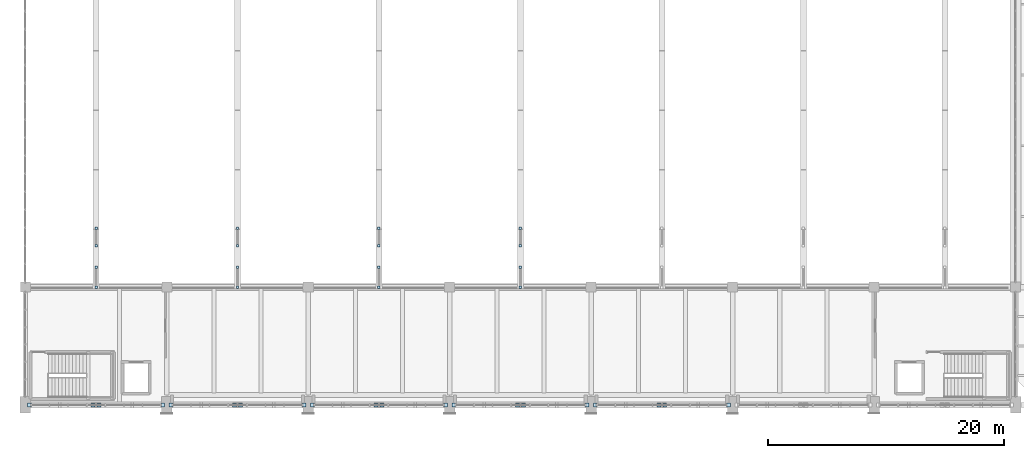
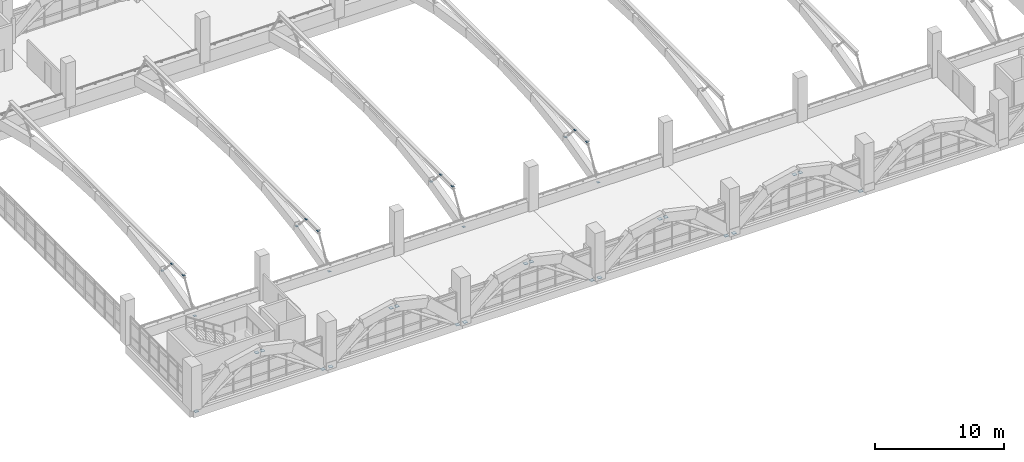
# One storey, part 141 of 161: 36 plates.
"""IFC4 building model written with IfcOpenShell, lengths in metres."""

from ifc_helpers import new_model, si_unit, direction, frame, origin, origin_2d, place, context, subcontext, project, spatial, rectangle, extrude, material, layer, layer_set, type_object, element, save


model = new_model("IFC4")

# Units and contexts
model_context = context("Model", 3, precision=1e-05, world=origin(), true_north=direction((0.0, 1.0)))
body_context = subcontext(model_context, "Body", "Model", "MODEL_VIEW")
ifc_project = project(units=[si_unit("LENGTHUNIT", "METRE"), si_unit("AREAUNIT", "SQUARE_METRE"), si_unit("VOLUMEUNIT", "CUBIC_METRE"), si_unit("PLANEANGLEUNIT", "RADIAN"), si_unit("MASSUNIT", "GRAM", prefix="KILO")], contexts=[model_context])

# Site, building, storey
site_placement = place(None, origin())
site = spatial("IfcSite", under=ifc_project, at=site_placement, CompositionType="ELEMENT")
building_placement = place(site_placement, origin())
building = spatial("IfcBuilding", under=site, at=building_placement, Name="Mersad Railyard Sports Hall", CompositionType="ELEMENT")
storey_placement = place(building_placement, frame((0.0, 0.0, 4.800048828125)))
storey = spatial("IfcBuildingStorey", under=building, at=storey_placement, Name="L01", CompositionType="ELEMENT", Elevation=4.800048828125)

# Plates
ifc_material = material(Name="Steel S355", Category="steel")
ifc_layer_1 = layer(ifc_material, 0.01611328125)
ifc_layer_set_1 = layer_set([ifc_layer_1], Name="Steel S355")
plate_type_1 = type_object("IfcPlateType", Name="STR-PL-KP02", PredefinedType="SHEET", material=ifc_layer_set_1)
for number, where, z_axis, x_axis, name in (
    (1, (13.0, 13.5, 0.33154296875), (0.0, 0.0, 1.0), (1.0, 0.0, 0.0), "End cap plate KP02-0117"),
    (2, (13.0, 15.199951171875, 3.141845703125), (0.0, 0.0, 1.0), (1.0, 0.0, 0.0), "End cap plate KP02-0118"),
    (3, (13.0, 18.5, 1.5712890625), (0.0, 0.0, 1.0), (1.0, 0.0, 0.0), "End cap plate KP02-0119"),
    (4, (13.0, 17.0, 3.141845703125), (0.0, 0.0, 1.0), (1.0, 0.0, 0.0), "End cap plate KP02-0120"),
    (5, (25.0, 13.5, 0.33154296875), (0.0, 0.0, 1.0), (1.0, 0.0, 0.0), "End cap plate KP02-0125"),
    (6, (25.0, 15.199951171875, 3.141845703125), (0.0, 0.0, 1.0), (1.0, 0.0, 0.0), "End cap plate KP02-0126"),
    (7, (25.0, 18.5, 1.5712890625), (0.0, 0.0, 1.0), (1.0, 0.0, 0.0), "End cap plate KP02-0127"),
    (8, (25.0, 17.0, 3.141845703125), (0.0, 0.0, 1.0), (1.0, 0.0, 0.0), "End cap plate KP02-0128"),
    (9, (37.0, 13.5, 0.33154296875), (0.0, 0.0, 1.0), (1.0, 0.0, 0.0), "End cap plate KP02-0133"),
    (10, (37.0, 15.199951171875, 3.141845703125), (0.0, 0.0, 1.0), (1.0, 0.0, 0.0), "End cap plate KP02-0134"),
    (11, (37.0, 18.5, 1.5712890625), (0.0, 0.0, 1.0), (1.0, 0.0, 0.0), "End cap plate KP02-0135"),
    (12, (37.0, 17.0, 3.141845703125), (0.0, 0.0, 1.0), (1.0, 0.0, 0.0), "End cap plate KP02-0136"),
    (13, (49.0, 13.5, 0.33154296875), (0.0, 0.0, 1.0), (1.0, 0.0, 0.0), "End cap plate KP02-0141"),
    (14, (49.0, 15.199951171875, 3.141845703125), (0.0, 0.0, 1.0), (1.0, 0.0, 0.0), "End cap plate KP02-0142"),
    (15, (49.0, 18.5, 1.5712890625), (0.0, 0.0, 1.0), (1.0, 0.0, 0.0), "End cap plate KP02-0143"),
    (16, (49.0, 17.0, 3.141845703125), (0.0, 0.0, 1.0), (1.0, 0.0, 0.0), "End cap plate KP02-0144"),
):
    element("IfcPlate", number, at=place(storey_placement, frame(where, z_axis=z_axis, x_axis=x_axis)), inside=storey, type_object=plate_type_1, Name=name, PredefinedType="SHEET", context=body_context, shape_type="SweptSolid", body=[
        extrude(rectangle(XDim=0.2099609375, YDim=0.2099609375, at=origin_2d()), origin(), (0.0, 0.0, 1.0), 0.01611328125),
    ])
ifc_layer_2 = layer(ifc_material, 0.0400390625)
ifc_layer_set_2 = layer_set([ifc_layer_2], Name="Steel S355")
plate_type_2 = type_object("IfcPlateType", Name="STR-PL-KP06", PredefinedType="SHEET", material=ifc_layer_set_2)
for number, where, z_axis, x_axis, name in (
    (17, (7.35009765625, 3.5, -0.64013671875), (0.0, 0.0, 1.0), (1.0, 0.0, 0.0), "End cap plate KP06-0001"),
    (18, (12.75, 3.5, 3.0), (0.0, 0.0, 1.0), (1.0, 0.0, 0.0), "End cap plate KP06-0002"),
    (19, (18.64990234375, 3.5, -0.64013671875), (0.0, 0.0, 1.0), (1.0, 0.0, 0.0), "End cap plate KP06-0003"),
    (20, (13.25, 3.5, 3.0), (0.0, 0.0, 1.0), (1.0, 0.0, 0.0), "End cap plate KP06-0004"),
    (21, (19.35009765625, 3.5, -0.64013671875), (0.0, 0.0, 1.0), (1.0, 0.0, 0.0), "End cap plate KP06-0009"),
    (22, (24.75, 3.5, 3.0), (0.0, 0.0, 1.0), (1.0, 0.0, 0.0), "End cap plate KP06-0010"),
    (23, (30.64990234375, 3.5, -0.64013671875), (0.0, 0.0, 1.0), (1.0, 0.0, 0.0), "End cap plate KP06-0011"),
    (24, (25.25, 3.5, 3.0), (0.0, 0.0, 1.0), (1.0, 0.0, 0.0), "End cap plate KP06-0012"),
    (25, (31.35009765625, 3.5, -0.64013671875), (0.0, 0.0, 1.0), (1.0, 0.0, 0.0), "End cap plate KP06-0017"),
    (26, (36.75, 3.5, 3.0), (0.0, 0.0, 1.0), (1.0, 0.0, 0.0), "End cap plate KP06-0018"),
    (27, (42.64990234375, 3.5, -0.64013671875), (0.0, 0.0, 1.0), (1.0, 0.0, 0.0), "End cap plate KP06-0019"),
    (28, (37.25, 3.5, 3.0), (0.0, 0.0, 1.0), (1.0, 0.0, 0.0), "End cap plate KP06-0020"),
    (29, (43.35009765625, 3.5, -0.64013671875), (0.0, 0.0, 1.0), (1.0, 0.0, 0.0), "End cap plate KP06-0025"),
    (30, (48.75, 3.5, 3.0), (0.0, 0.0, 1.0), (1.0, 0.0, 0.0), "End cap plate KP06-0026"),
    (31, (54.64990234375, 3.5, -0.64013671875), (0.0, 0.0, 1.0), (1.0, 0.0, 0.0), "End cap plate KP06-0027"),
    (32, (49.25, 3.5, 3.0), (0.0, 0.0, 1.0), (1.0, 0.0, 0.0), "End cap plate KP06-0028"),
    (33, (55.35009765625, 3.5, -0.64013671875), (0.0, 0.0, 1.0), (1.0, 0.0, 0.0), "End cap plate KP06-0033"),
    (34, (60.75, 3.5, 3.0), (0.0, 0.0, 1.0), (1.0, 0.0, 0.0), "End cap plate KP06-0034"),
    (35, (66.64990234375, 3.5, -0.64013671875), (0.0, 0.0, 1.0), (1.0, 0.0, 0.0), "End cap plate KP06-0035"),
    (36, (61.25, 3.5, 3.0), (0.0, 0.0, 1.0), (1.0, 0.0, 0.0), "End cap plate KP06-0036"),
):
    element("IfcPlate", number, at=place(storey_placement, frame(where, z_axis=z_axis, x_axis=x_axis)), inside=storey, type_object=plate_type_2, Name=name, PredefinedType="SHEET", context=body_context, shape_type="SweptSolid", body=[
        extrude(rectangle(XDim=0.320068359375, YDim=0.320068359375, at=origin_2d()), origin(), (0.0, 0.0, 1.0), 0.0400390625),
    ])

save(model, "model.ifc")
